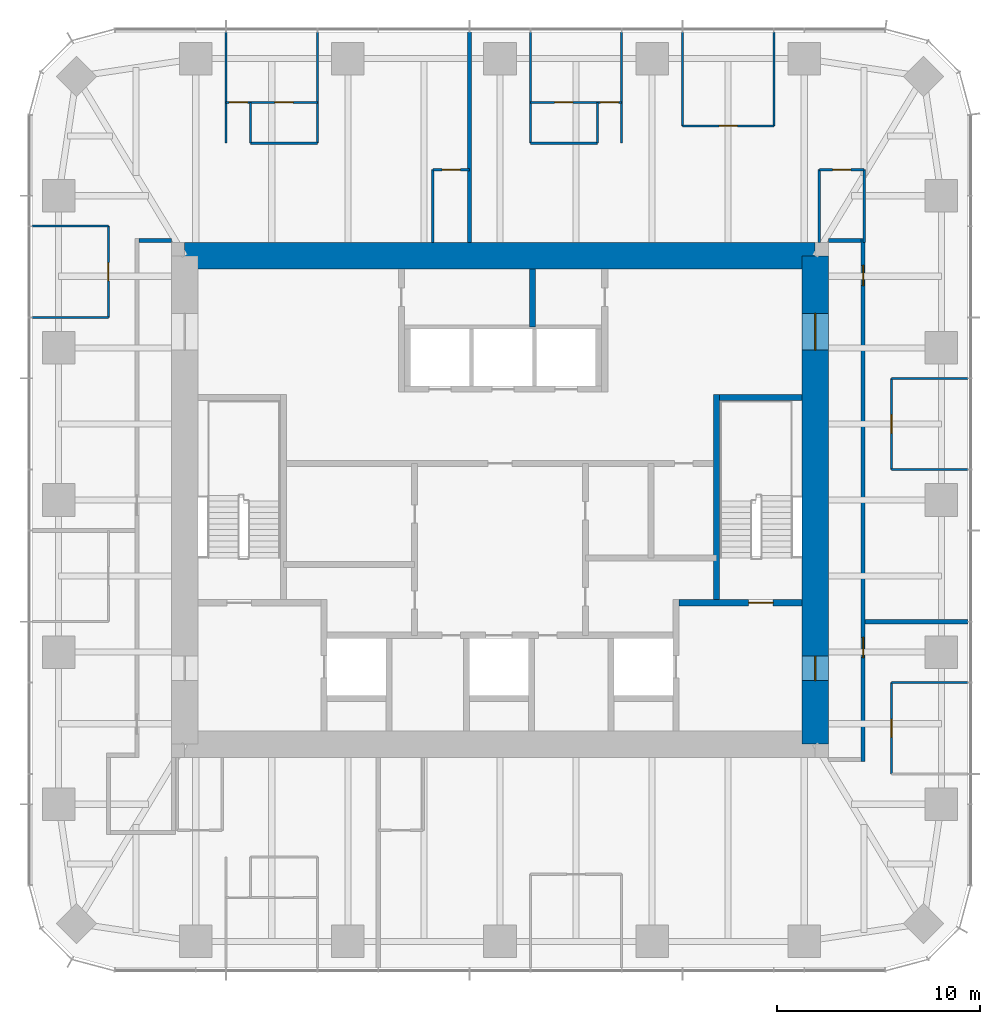
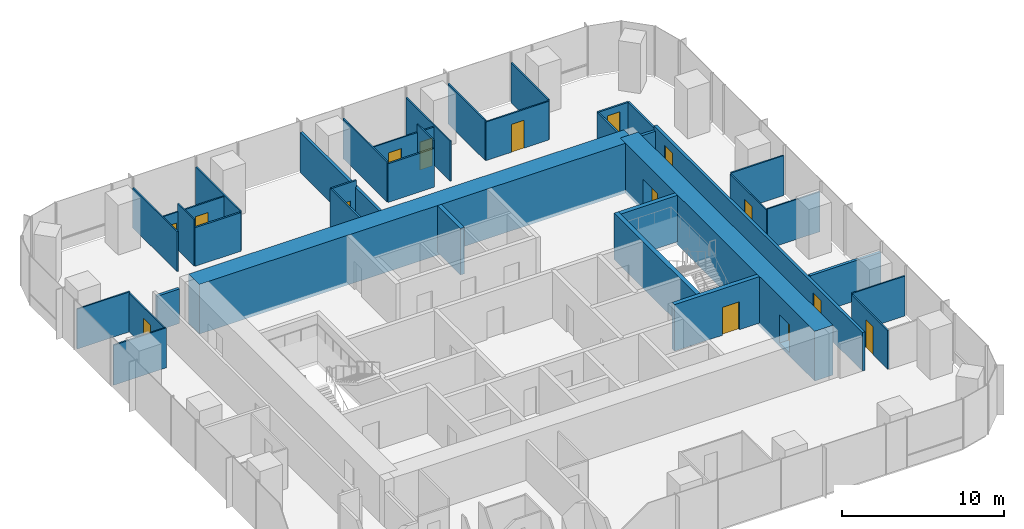
# One storey, part 10 of 12: 37 walls, 15 doors, 15 openings.
"""IFC4 building model written with IfcOpenShell, lengths in metres."""

import ifcopenshell
import ifcopenshell.guid

model = None  # the IFC model being written
_history = None  # IfcOwnerHistory: only IFC2X3 demands one
_inside = {}  # id of a spatial element -> (the spatial element, [elements in it])
_under = {}  # id of a project, library or spatial element -> (it, [spatial elements below it])
_declared = {}  # id of a project -> (the project, [libraries it declares])
_typed = {}  # id of a type object -> (the type object, [elements of that type])
_made_of = {}  # id of a material, layer set ... -> (it, [elements and type objects made of it])


def new_model(schema):
    """Start an empty IFC model of exactly this schema.

    Asked for "IFC4X3", IfcOpenShell would pick the latest addendum, in which some entities
    have other attributes; the version numbers below select the first issue.
    IFC2X3 requires an IfcOwnerHistory on every rooted entity: one is made here for all.
    """
    global model, _history
    if schema == "IFC4X3":
        model = ifcopenshell.file(schema_version=(4, 3, 0, 0))
    else:
        model = ifcopenshell.file(schema=schema)
    _inside.clear()
    _under.clear()
    _declared.clear()
    _typed.clear()
    _made_of.clear()
    _history = None
    if model.schema == "IFC2X3":
        org = make("IfcOrganization", Name="unknown")
        user = make(
            "IfcPersonAndOrganization",
            ThePerson=make("IfcPerson", FamilyName="unknown"),
            TheOrganization=org,
        )
        app = make(
            "IfcApplication",
            ApplicationDeveloper=org,
            Version="unknown",
            ApplicationFullName="unknown",
            ApplicationIdentifier="unknown",
        )
        _history = make(
            "IfcOwnerHistory",
            OwningUser=user,
            OwningApplication=app,
            ChangeAction="ADDED",
            CreationDate=0,
        )
    return model


def make(cls, **values):
    """One entity of the class cls with the attributes given. An attribute that is None is left unset."""
    return model.create_entity(
        cls, **{name: value for name, value in values.items() if value is not None}
    )


def rooted(cls, **values):
    """An entity with a GlobalId (a new one), such as an element, a storey or a relation."""
    return make(cls, GlobalId=ifcopenshell.guid.new(), OwnerHistory=_history, **values)


def si_unit(unit_type, name, prefix=None):
    """IfcSIUnit, for example si_unit("LENGTHUNIT", "METRE", prefix="MILLI")."""
    return make("IfcSIUnit", UnitType=unit_type, Prefix=prefix, Name=name)


def assignment(units):
    """IfcUnitAssignment: the units of a project."""
    return None if units is None else make("IfcUnitAssignment", Units=units)


def point(xyz):
    """IfcCartesianPoint."""
    return None if xyz is None else make("IfcCartesianPoint", Coordinates=xyz)


def direction(xyz):
    """IfcDirection."""
    return None if xyz is None else make("IfcDirection", DirectionRatios=xyz)


def frame(location, z_axis=None, x_axis=None):
    """IfcAxis2Placement3D, a coordinate frame: its origin and axes. An axis left out is left unset."""
    return make(
        "IfcAxis2Placement3D",
        Location=point(location),
        Axis=direction(z_axis),
        RefDirection=direction(x_axis),
    )


def frame_2d(location, x_axis=None):
    """IfcAxis2Placement2D, a coordinate frame in the plane: its origin and x axis."""
    return make(
        "IfcAxis2Placement2D", Location=point(location), RefDirection=direction(x_axis)
    )


def origin():
    """The frame at (0, 0, 0) with its axes left unset."""
    return frame((0.0, 0.0, 0.0))


def place(relative_to, where):
    """IfcLocalPlacement: puts the frame where relative to a parent placement (None: the world)."""
    return make(
        "IfcLocalPlacement", PlacementRelTo=relative_to, RelativePlacement=where
    )


def context(
    kind, dimensions, precision=None, world=None, true_north=None, identifier=None
):
    """IfcGeometricRepresentationContext, for example the 3D "Model" context."""
    return make(
        "IfcGeometricRepresentationContext",
        ContextIdentifier=identifier,
        ContextType=kind,
        CoordinateSpaceDimension=dimensions,
        Precision=precision,
        WorldCoordinateSystem=world,
        TrueNorth=true_north,
    )


def subcontext(parent, identifier, kind, view, scale=None):
    """IfcGeometricRepresentationSubContext, for example "Body" below "Model"."""
    return make(
        "IfcGeometricRepresentationSubContext",
        ContextIdentifier=identifier,
        ContextType=kind,
        ParentContext=parent,
        TargetScale=scale,
        TargetView=view,
    )


def project(units=None, contexts=None):
    """IfcProject with its units and contexts."""
    return rooted(
        "IfcProject",
        Name="project",
        RepresentationContexts=contexts,
        UnitsInContext=assignment(units),
    )


def spatial(cls, under=None, at=None, **own):
    """A site, building, storey or space (cls), placed at a placement, below another one or the project."""
    s = rooted(cls, ObjectPlacement=at, **own)
    if under is not None:
        _under.setdefault(under.id(), (under, []))[1].append(s)
    return s


def profile(cls, at=None, kind="AREA", **sizes):
    """A parametric profile (cls). Its sizes go by their IFC names, for example OverallWidth=200.0."""
    return make(cls, ProfileType=kind, Position=at, **sizes)


def rectangle(**sizes):
    """IfcRectangleProfileDef."""
    return profile("IfcRectangleProfileDef", **sizes)


def extrude(swept, where, along, depth):
    """IfcExtrudedAreaSolid: the profile swept, set in the frame where, extruded along a direction by depth."""
    return make(
        "IfcExtrudedAreaSolid",
        SweptArea=swept,
        Position=where,
        ExtrudedDirection=direction(along),
        Depth=depth,
    )


def shape(context_of_items, identifier, shape_type, items):
    """IfcShapeRepresentation: the items that make up one representation, for example the "Body"."""
    return make(
        "IfcShapeRepresentation",
        ContextOfItems=context_of_items,
        RepresentationIdentifier=identifier,
        RepresentationType=shape_type,
        Items=items,
    )


def material(Name=None, Category=None):
    """IfcMaterial."""
    return make("IfcMaterial", Name=Name, Category=Category)


def layer(
    of_material, thickness, ventilated=None, Name=None, Category=None, Priority=None
):
    """IfcMaterialLayer: one layer of a wall or slab, of a material (None: an air gap)."""
    return make(
        "IfcMaterialLayer",
        Material=of_material,
        LayerThickness=thickness,
        IsVentilated=ventilated,
        Name=Name,
        Category=Category,
        Priority=Priority,
    )


def layer_set(layers, Name=None):
    """IfcMaterialLayerSet."""
    return make("IfcMaterialLayerSet", MaterialLayers=layers, LayerSetName=Name)


def made_of(thing, what):
    """Note that an element or type object is made of a material, layer set ...; save() writes the relation."""
    if what is not None:
        _made_of.setdefault(what.id(), (what, []))[1].append(thing)
    return thing


def type_object(cls, material=None, **own):
    """A type object (cls), such as IfcWallType, which elements share."""
    return made_of(rooted(cls, **own), material)


def element(
    cls,
    number,
    at=None,
    inside=None,
    cuts=None,
    type_object=None,
    material=None,
    context=None,
    identifier="Body",
    shape_type=None,
    held_by="IfcProductDefinitionShape",
    body=None,
    shapes=None,
    **own,
):
    """One element of the class cls, such as IfcWall. Its Tag is "e" and its number.

    at: its placement. inside: the storey or other place that contains it. cuts: it is an
    opening in that element (IfcRelVoidsElement). A single representation is given by context,
    identifier, shape_type and body (its items); several are given by shapes. held_by: the class
    of the entity that holds the representations. save() writes the other relations.
    """
    e = rooted(cls, Tag="e%d" % number, ObjectPlacement=at, **own)
    if body is not None:
        shapes = [shape(context, identifier, shape_type, body)]
    if shapes is not None:
        e.Representation = make(held_by, Representations=shapes)
    if inside is not None:
        _inside.setdefault(inside.id(), (inside, []))[1].append(e)
    if cuts is not None:
        rooted(
            "IfcRelVoidsElement", RelatingBuildingElement=cuts, RelatedOpeningElement=e
        )
    if type_object is not None:
        _typed.setdefault(type_object.id(), (type_object, []))[1].append(e)
    return made_of(e, material)


def fill(opening, filler):
    """IfcRelFillsElement: the door or window that sits in an opening."""
    return rooted(
        "IfcRelFillsElement",
        RelatingOpeningElement=opening,
        RelatedBuildingElement=filler,
    )


def aggregate(whole, parts):
    """IfcRelAggregates: a whole, such as a stair, and the parts it consists of."""
    return rooted("IfcRelAggregates", RelatingObject=whole, RelatedObjects=parts)


def save(model, path):
    """Write the relations noted so far, then the file.

    IfcRelAggregates (storeys below a building ...), IfcRelContainedInSpatialStructure (elements
    in a storey), IfcRelDefinesByType, IfcRelAssociatesMaterial and IfcRelDeclares: one each for
    every whole, place, type object, material and project.
    """
    for whole, parts in _under.values():
        aggregate(whole, parts)
    for where, things in _inside.values():
        rooted(
            "IfcRelContainedInSpatialStructure",
            RelatedElements=things,
            RelatingStructure=where,
        )
    for kind, things in _typed.values():
        rooted("IfcRelDefinesByType", RelatedObjects=things, RelatingType=kind)
    for what, things in _made_of.values():
        rooted("IfcRelAssociatesMaterial", RelatedObjects=things, RelatingMaterial=what)
    for by, libraries in _declared.values():
        rooted("IfcRelDeclares", RelatingContext=by, RelatedDefinitions=libraries)
    model.write(path)


model = new_model("IFC4")

# Units and contexts
model_context = context("Model", 3, precision=1e-05, world=origin(), true_north=direction((0.0, 1.0)))
body_context = subcontext(model_context, "Body", "Model", "MODEL_VIEW")
ifc_project = project(units=[si_unit("LENGTHUNIT", "METRE"), si_unit("AREAUNIT", "SQUARE_METRE"), si_unit("VOLUMEUNIT", "CUBIC_METRE"), si_unit("PLANEANGLEUNIT", "RADIAN"), si_unit("MASSUNIT", "GRAM", prefix="KILO")], contexts=[model_context])

# Site, building, storey
site_placement = place(None, origin())
site = spatial("IfcSite", under=ifc_project, at=site_placement, CompositionType="ELEMENT")
building_placement = place(site_placement, origin())
building = spatial("IfcBuilding", under=site, at=building_placement, Name="Khuree Lantern Residences", CompositionType="ELEMENT")
storey_placement = place(building_placement, frame((0.0, 0.0, 338.25)))
storey = spatial("IfcBuildingStorey", under=building, at=storey_placement, Name="L85", CompositionType="ELEMENT", Elevation=338.25)

# Wall
ifc_material_1 = material(Name="Moisture-resistant gypsum board on steel studs", Category="steel")
ifc_layer_1 = layer(ifc_material_1, 0.125)
ifc_layer_set_1 = layer_set([ifc_layer_1], Name="BATHROOM WALL BTW125")
wall_type_1 = type_object("IfcWallType", Name="BATHROOM WALL BTW125", PredefinedType="PARTITIONING", material=ifc_layer_set_1)
wall_1_placement = place(storey_placement, frame((4.783935546875, 17.54638671875, 0.0), z_axis=(0.0, 0.0, 1.0), x_axis=(-1.0, 0.0, 0.0)))
element("IfcWall", 1, at=wall_1_placement, inside=storey, type_object=wall_type_1, Name="L85 BATHROOM WALL 01", PredefinedType="PARTITIONING", context=body_context, shape_type="SweptSolid", body=[
    extrude(rectangle(XDim=3.287841796875, YDim=0.125, at=frame_2d((1.64404296875, 0.0))), origin(), (0.0, 0.0, 1.0), 2.909912109375),
])

# Wall, opening, door
wall_2_placement = place(storey_placement, frame((17.89990234375, 16.246337890625, 0.0), z_axis=(0.0, 0.0, 1.0), x_axis=(-1.0, 0.0, 0.0)))
wall_2 = element("IfcWall", 2, at=wall_2_placement, inside=storey, type_object=wall_type_1, Name="L85 BATHROOM WALL 01", PredefinedType="PARTITIONING", context=body_context, shape_type="SweptSolid", body=[
    extrude(rectangle(XDim=2.199951171875, YDim=0.125, at=frame_2d((1.10009765625, 0.0))), origin(), (0.0, 0.0, 1.0), 2.60009765625),
])
opening_1_placement = place(wall_2_placement, frame((0.64990234375, 0.0, 0.0)))
opening_1 = element("IfcOpeningElement", 3, at=opening_1_placement, cuts=wall_2, Name="Opening 85-027", PredefinedType="OPENING", context=body_context, shape_type="SweptSolid", body=[
    extrude(rectangle(XDim=0.89990234375, YDim=2.10009765625, at=frame_2d((0.449951171875, 1.050048828125))), frame((0.0, 0.072509765625, 0.0), z_axis=(0.0, -1.0, 0.0), x_axis=(1.0, 0.0, 0.0)), (0.0, 0.0, 1.0), 0.14501953125),
])
ifc_material_2 = material(Name="Timber door leaf in hardwood frame", Category="wood")
door_type_1 = type_object("IfcDoorType", Name="BATHROOM DOOR 900X2100", OperationType="SINGLE_SWING_LEFT", PredefinedType="DOOR", material=ifc_material_2)
door_1_placement = place(opening_1_placement, origin())
door_1 = element("IfcDoor", 4, at=door_1_placement, inside=storey, type_object=door_type_1, Name="Bathroom door 85-027", OperationType="SINGLE_SWING_LEFT", OverallHeight=2.10009765625, OverallWidth=0.89990234375, PredefinedType="DOOR", context=body_context, shape_type="SweptSolid", body=[
    extrude(rectangle(XDim=0.89990234375, YDim=2.10009765625, at=frame_2d((0.449951171875, 1.050048828125))), frame((0.0, 0.02490234375, 0.0), z_axis=(0.0, -1.0, 0.0), x_axis=(1.0, 0.0, 0.0)), (0.0, 0.0, 1.0), 0.050048828125),
])
fill(opening_1, door_1)

# Walls
for number, where, z_axis, x_axis, name in (
    (5, (17.89990234375, 12.64990234375, 0.0), (0.0, 0.0, 1.0), (0.0, 1.0, 0.0), "L85 BATHROOM WALL 01"),
    (6, (15.699951171875, 12.64990234375, 0.0), (0.0, 0.0, 1.0), (0.0, 1.0, 0.0), "L85 BATHROOM WALL 01"),
):
    element("IfcWall", number, at=place(storey_placement, frame(where, z_axis=z_axis, x_axis=x_axis)), inside=storey, type_object=wall_type_1, Name=name, PredefinedType="PARTITIONING", context=body_context, shape_type="SweptSolid", body=[
        extrude(rectangle(XDim=3.596435546875, YDim=0.125, at=frame_2d((1.79833984375, 0.0))), origin(), (0.0, 0.0, 1.0), 2.60009765625),
    ])
wall_3_placement = place(storey_placement, frame((-8.97607421875, 17.54638671875, 0.0), z_axis=(0.0, 0.0, 1.0), x_axis=(-1.0, 0.0, 0.0)))
element("IfcWall", 7, at=wall_3_placement, inside=storey, type_object=wall_type_1, Name="L85 BATHROOM WALL 02", PredefinedType="PARTITIONING", context=body_context, shape_type="SweptSolid", body=[
    extrude(rectangle(XDim=3.287841796875, YDim=0.125, at=frame_2d((1.64404296875, 0.0))), origin(), (0.0, 0.0, 1.0), 2.909912109375),
])

# Wall, opening, door
wall_4_placement = place(storey_placement, frame((-1.49609375, 16.246337890625, 0.0), z_axis=(0.0, 0.0, 1.0), x_axis=(-1.0, 0.0, 0.0)))
wall_4 = element("IfcWall", 8, at=wall_4_placement, inside=storey, type_object=wall_type_1, Name="L85 BATHROOM WALL 02", PredefinedType="PARTITIONING", context=body_context, shape_type="SweptSolid", body=[
    extrude(rectangle(XDim=1.7998046875, YDim=0.125, at=frame_2d((0.89990234375, 0.0))), origin(), (0.0, 0.0, 1.0), 3.5),
])
opening_2_placement = place(wall_4_placement, frame((0.449951171875, 0.0, 0.0)))
opening_2 = element("IfcOpeningElement", 9, at=opening_2_placement, cuts=wall_4, Name="Opening 85-032", PredefinedType="OPENING", context=body_context, shape_type="SweptSolid", body=[
    extrude(rectangle(XDim=0.89990234375, YDim=2.10009765625, at=frame_2d((0.449951171875, 1.050048828125))), frame((0.0, 0.072509765625, 0.0), z_axis=(0.0, -1.0, 0.0), x_axis=(1.0, 0.0, 0.0)), (0.0, 0.0, 1.0), 0.14501953125),
])
door_2_placement = place(opening_2_placement, origin())
door_2 = element("IfcDoor", 10, at=door_2_placement, inside=storey, type_object=door_type_1, Name="Bathroom door 85-032", OperationType="SINGLE_SWING_LEFT", OverallHeight=2.10009765625, OverallWidth=0.89990234375, PredefinedType="DOOR", context=body_context, shape_type="SweptSolid", body=[
    extrude(rectangle(XDim=0.89990234375, YDim=2.10009765625, at=frame_2d((0.449951171875, 1.050048828125))), frame((0.0, 0.02490234375, 0.0), z_axis=(0.0, -1.0, 0.0), x_axis=(1.0, 0.0, 0.0)), (0.0, 0.0, 1.0), 0.050048828125),
])
fill(opening_2, door_2)

# Walls
wall_5_placement = place(storey_placement, frame((-3.2958984375, 12.64990234375, 0.0), z_axis=(0.0, 0.0, 1.0), x_axis=(0.0, 1.0, 0.0)))
element("IfcWall", 11, at=wall_5_placement, inside=storey, type_object=wall_type_1, Name="L85 BATHROOM WALL 02", PredefinedType="PARTITIONING", context=body_context, shape_type="SweptSolid", body=[
    extrude(rectangle(XDim=3.596435546875, YDim=0.125, at=frame_2d((1.79833984375, 0.0))), origin(), (0.0, 0.0, 1.0), 3.5),
])
ifc_material_3 = material(Name="Dense concrete blockwork", Category="masonry")
ifc_layer_2 = layer(ifc_material_3, 0.300048828125)
ifc_layer_set_2 = layer_set([ifc_layer_2], Name="CORE PARTITION WALL CPW300 EI 120")
wall_type_2 = type_object("IfcWallType", Name="CORE PARTITION WALL CPW300 EI 120", PredefinedType="PARTITIONING", material=ifc_layer_set_2)
wall_6_placement = place(storey_placement, frame((1.60009765625, 8.5, 0.0), z_axis=(0.0, 0.0, 1.0), x_axis=(0.0, 1.0, 0.0)))
element("IfcWall", 12, at=wall_6_placement, inside=storey, type_object=wall_type_2, Name="L85 CORE WALL NX", PredefinedType="PARTITIONING", context=body_context, shape_type="SweptSolid", body=[
    extrude(rectangle(XDim=2.85009765625, YDim=0.300048828125, at=frame_2d((1.425048828125, 0.0))), origin(), (0.0, 0.0, 1.0), 3.5),
])
ifc_material_4 = material(Name="Gypsum board on steel studs", Category="steel")
ifc_layer_3 = layer(ifc_material_4, 0.199951171875)
ifc_layer_set_3 = layer_set([ifc_layer_3], Name="CORRIDOR WALL CRW200 EI 60")
wall_type_3 = type_object("IfcWallType", Name="CORRIDOR WALL CRW200 EI 60", PredefinedType="PARTITIONING", material=ifc_layer_set_3)
for number, where, z_axis, x_axis, name in (
    (13, (16.14990234375, 12.75, 0.0), (0.0, 0.0, 1.0), (1.0, 0.0, 0.0), "L85 EAST CORRIDOR NORTH END WALL"),
    (14, (-16.14990234375, 12.75, 0.0), (0.0, 0.0, 1.0), (-1.0, 0.0, 0.0), "L85 WEST CORRIDOR NORTH END WALL"),
):
    element("IfcWall", number, at=place(storey_placement, frame(where, z_axis=z_axis, x_axis=x_axis)), inside=storey, type_object=wall_type_3, Name=name, PredefinedType="PARTITIONING", context=body_context, shape_type="SweptSolid", body=[
        extrude(rectangle(XDim=1.60009765625, YDim=0.199951171875, at=frame_2d((0.800048828125, 0.0))), origin(), (0.0, 0.0, 1.0), 2.60009765625),
    ])

# Wall, openings, doors
wall_7_placement = place(storey_placement, frame((17.85009765625, -12.85009765625, 0.0), z_axis=(0.0, 0.0, 1.0), x_axis=(0.0, 1.0, 0.0)))
wall_7 = element("IfcWall", 15, at=wall_7_placement, inside=storey, type_object=wall_type_3, Name="L85 CORRIDOR WALL EAST 1", PredefinedType="PARTITIONING", context=body_context, shape_type="SweptSolid", body=[
    extrude(rectangle(XDim=25.7001953125, YDim=0.199951171875, at=frame_2d((12.85009765625, 0.0))), origin(), (0.0, 0.0, 1.0), 2.89990234375),
])
opening_3_placement = place(wall_7_placement, frame((23.385986328125, 0.0, 0.0)))
opening_3 = element("IfcOpeningElement", 16, at=opening_3_placement, cuts=wall_7, Name="Opening 85-028", PredefinedType="OPENING", context=body_context, shape_type="SweptSolid", body=[
    extrude(rectangle(XDim=1.0, YDim=2.199951171875, at=frame_2d((0.5, 1.10009765625))), frame((0.0, 0.10986328125, 0.0), z_axis=(0.0, -1.0, 0.0), x_axis=(1.0, 0.0, 0.0)), (0.0, 0.0, 1.0), 0.219970703125),
])
opening_4_placement = place(wall_7_placement, frame((5.10009765625, 0.0, 0.0)))
opening_4 = element("IfcOpeningElement", 17, at=opening_4_placement, cuts=wall_7, Name="Opening 85-042", PredefinedType="OPENING", context=body_context, shape_type="SweptSolid", body=[
    extrude(rectangle(XDim=1.0, YDim=2.199951171875, at=frame_2d((0.5, 1.10009765625))), frame((0.0, 0.10986328125, 0.0), z_axis=(0.0, -1.0, 0.0), x_axis=(1.0, 0.0, 0.0)), (0.0, 0.0, 1.0), 0.219970703125),
])
door_type_2 = type_object("IfcDoorType", Name="APARTMENT ENTRANCE DOOR 1000X2200 EI 30S", OperationType="SINGLE_SWING_LEFT", PredefinedType="DOOR", material=ifc_material_2)
door_3_placement = place(opening_4_placement, origin())
door_3 = element("IfcDoor", 18, at=door_3_placement, inside=storey, type_object=door_type_2, Name="Apartment 04 entrance door 85-042", OperationType="SINGLE_SWING_LEFT", OverallHeight=2.199951171875, OverallWidth=1.0, PredefinedType="DOOR", context=body_context, shape_type="SweptSolid", body=[
    extrude(rectangle(XDim=1.0, YDim=2.199951171875, at=frame_2d((0.5, 1.10009765625))), frame((0.0, 0.02490234375, 0.0), z_axis=(0.0, -1.0, 0.0), x_axis=(1.0, 0.0, 0.0)), (0.0, 0.0, 1.0), 0.050048828125),
])
fill(opening_4, door_3)
door_type_3 = type_object("IfcDoorType", Name="APARTMENT ENTRANCE DOOR 1000X2200 EI 30S RIGHT HAND", OperationType="SINGLE_SWING_RIGHT", PredefinedType="DOOR", material=ifc_material_2)
door_4_placement = place(opening_3_placement, origin())
door_4 = element("IfcDoor", 19, at=door_4_placement, inside=storey, type_object=door_type_3, Name="Apartment 01 entrance door 85-028", OperationType="SINGLE_SWING_RIGHT", OverallHeight=2.199951171875, OverallWidth=1.0, PredefinedType="DOOR", context=body_context, shape_type="SweptSolid", body=[
    extrude(rectangle(XDim=1.0, YDim=2.199951171875, at=frame_2d((0.5, 1.10009765625))), frame((0.0, 0.02490234375, 0.0), z_axis=(0.0, -1.0, 0.0), x_axis=(1.0, 0.0, 0.0)), (0.0, 0.0, 1.0), 0.050048828125),
])
fill(opening_3, door_4)

ifc_material_5 = material(Name="Concrete C50/60", Category="concrete")
ifc_layer_4 = layer(ifc_material_5, 1.300048828125)
ifc_layer_set_4 = layer_set([ifc_layer_4], Name="CW1300-C50 CORE WALL C50 1300")
wall_type_4 = type_object("IfcWallType", Name="CW1300-C50 CORE WALL C50 1300", PredefinedType="SHEAR", material=ifc_layer_set_4)
wall_8_placement = place(storey_placement, frame((15.5, -12.0, -0.25), z_axis=(0.0, 0.0, 1.0), x_axis=(0.0, 1.0, 0.0)))
wall_8 = element("IfcWall", 20, at=wall_8_placement, inside=storey, type_object=wall_type_4, Name="Core wall E", PredefinedType="SHEAR", context=body_context, shape_type="SweptSolid", body=[
    extrude(rectangle(XDim=24.0, YDim=1.300048828125, at=frame_2d((12.0, 0.0))), origin(), (0.0, 0.0, 1.0), 3.75),
])
opening_5_placement = place(wall_8_placement, frame((3.125, 0.0, 0.25)))
opening_5 = element("IfcOpeningElement", 21, at=opening_5_placement, cuts=wall_8, Name="Opening 85-005", PredefinedType="OPENING", context=body_context, shape_type="SweptSolid", body=[
    extrude(rectangle(XDim=1.199951171875, YDim=2.10009765625, at=frame_2d((0.60009765625, 1.050048828125))), frame((0.0, 0.66015625, 0.0), z_axis=(0.0, -1.0, 0.0), x_axis=(1.0, 0.0, 0.0)), (0.0, 0.0, 1.0), 1.320068359375),
])
opening_6_placement = place(wall_8_placement, frame((19.375, 0.0, 0.25)))
opening_6 = element("IfcOpeningElement", 22, at=opening_6_placement, cuts=wall_8, Name="Opening 85-006", PredefinedType="OPENING", context=body_context, shape_type="SweptSolid", body=[
    extrude(rectangle(XDim=1.800048828125, YDim=2.10009765625, at=frame_2d((0.89990234375, 1.050048828125))), frame((0.0, 0.66015625, 0.0), z_axis=(0.0, -1.0, 0.0), x_axis=(1.0, 0.0, 0.0)), (0.0, 0.0, 1.0), 1.320068359375),
])
ifc_material_6 = material(Name="Steel door leaf in steel frame", Category="steel")
door_type_4 = type_object("IfcDoorType", Name="LOBBY DOOR 1200X2100 EI 120", OperationType="SINGLE_SWING_LEFT", PredefinedType="DOOR", material=ifc_material_6)
door_5_placement = place(opening_5_placement, origin())
door_5 = element("IfcDoor", 23, at=door_5_placement, inside=storey, type_object=door_type_4, Name="Firefighting lobby door 85-005", OperationType="SINGLE_SWING_LEFT", OverallHeight=2.10009765625, OverallWidth=1.199951171875, PredefinedType="DOOR", context=body_context, shape_type="SweptSolid", body=[
    extrude(rectangle(XDim=1.199951171875, YDim=2.10009765625, at=frame_2d((0.60009765625, 1.050048828125))), frame((0.0, 0.02490234375, 0.0), z_axis=(0.0, -1.0, 0.0), x_axis=(1.0, 0.0, 0.0)), (0.0, 0.0, 1.0), 0.050048828125),
])
fill(opening_5, door_5)
door_type_5 = type_object("IfcDoorType", Name="LOBBY DOUBLE DOOR 1800X2100 EI 60", OperationType="DOUBLE_DOOR_SINGLE_SWING", PredefinedType="DOOR", material=ifc_material_6)
door_6_placement = place(opening_6_placement, origin())
door_6 = element("IfcDoor", 24, at=door_6_placement, inside=storey, type_object=door_type_5, Name="Lift lobby door 85-006", OperationType="DOUBLE_DOOR_SINGLE_SWING", OverallHeight=2.10009765625, OverallWidth=1.800048828125, PredefinedType="DOOR", context=body_context, shape_type="SweptSolid", body=[
    extrude(rectangle(XDim=1.800048828125, YDim=2.10009765625, at=frame_2d((0.89990234375, 1.050048828125))), frame((0.0, 0.02490234375, 0.0), z_axis=(0.0, -1.0, 0.0), x_axis=(1.0, 0.0, 0.0)), (0.0, 0.0, 1.0), 0.050048828125),
])
fill(opening_6, door_6)

# Walls
wall_9_placement = place(storey_placement, frame((-15.5, 12.0, -0.25), z_axis=(0.0, 0.0, 1.0), x_axis=(1.0, 0.0, 0.0)))
element("IfcWall", 25, at=wall_9_placement, inside=storey, type_object=wall_type_4, Name="Core wall N", PredefinedType="SHEAR", context=body_context, shape_type="SweptSolid", body=[
    extrude(rectangle(XDim=31.0, YDim=1.300048828125, at=frame_2d((15.5, 0.0))), origin(), (0.0, 0.0, 1.0), 3.75),
])
ifc_layer_5 = layer(ifc_material_4, 0.199951171875)
ifc_layer_set_5 = layer_set([ifc_layer_5], Name="DEMISING WALL DMW200 EI 90")
wall_type_5 = type_object("IfcWallType", Name="DEMISING WALL DMW200 EI 90", PredefinedType="PARTITIONING", material=ifc_layer_set_5)
wall_10_placement = place(storey_placement, frame((17.949951171875, -5.98388671875, 0.0), z_axis=(0.0, 0.0, 1.0), x_axis=(1.0, 0.0, 0.0)))
element("IfcWall", 26, at=wall_10_placement, inside=storey, type_object=wall_type_5, Name="L85 DEMISING WALL 01", PredefinedType="PARTITIONING", context=body_context, shape_type="SweptSolid", body=[
    extrude(rectangle(XDim=5.050048828125, YDim=0.199951171875, at=frame_2d((2.52490234375, 0.0))), origin(), (0.0, 0.0, 1.0), 3.010009765625),
])
wall_11_placement = place(storey_placement, frame((-1.49609375, 12.64990234375, 0.0), z_axis=(0.0, 0.0, 1.0), x_axis=(0.0, 1.0, 0.0)))
element("IfcWall", 27, at=wall_11_placement, inside=storey, type_object=wall_type_5, Name="L85 DEMISING WALL 02", PredefinedType="PARTITIONING", context=body_context, shape_type="SweptSolid", body=[
    extrude(rectangle(XDim=10.35009765625, YDim=0.199951171875, at=frame_2d((5.175048828125, 0.0))), origin(), (0.0, 0.0, 1.0), 3.010009765625),
])
ifc_layer_6 = layer(ifc_material_4, 0.10009765625)
ifc_layer_set_6 = layer_set([ifc_layer_6], Name="PARTITION PT100")
wall_type_6 = type_object("IfcWallType", Name="PARTITION PT100", PredefinedType="PARTITIONING", material=ifc_layer_set_6)
for number, where, z_axis, x_axis, name in (
    (28, (19.25, 1.49609375, 0.0), (0.0, 0.0, 1.0), (1.0, 0.0, 0.0), "L85 PARTITION 01"),
    (29, (19.25, 5.98388671875, 0.0), (0.0, 0.0, 1.0), (1.0, 0.0, 0.0), "L85 PARTITION 01"),
):
    element("IfcWall", number, at=place(storey_placement, frame(where, z_axis=z_axis, x_axis=x_axis)), inside=storey, type_object=wall_type_6, Name=name, PredefinedType="PARTITIONING", context=body_context, shape_type="SweptSolid", body=[
        extrude(rectangle(XDim=3.75, YDim=0.10009765625, at=frame_2d((1.875, 0.0))), origin(), (0.0, 0.0, 1.0), 3.010009765625),
    ])
for number, where, z_axis, x_axis, name in (
    (30, (13.464111328125, 18.39990234375, 0.0), (0.0, 0.0, 1.0), (0.0, 1.0, 0.0), "L85 PARTITION 01"),
    (31, (8.97607421875, 18.39990234375, 0.0), (0.0, 0.0, 1.0), (0.0, 1.0, 0.0), "L85 PARTITION 01"),
):
    element("IfcWall", number, at=place(storey_placement, frame(where, z_axis=z_axis, x_axis=x_axis)), inside=storey, type_object=wall_type_6, Name=name, PredefinedType="PARTITIONING", context=body_context, shape_type="SweptSolid", body=[
        extrude(rectangle(XDim=4.60009765625, YDim=0.10009765625, at=frame_2d((2.300048828125, 0.0))), origin(), (0.0, 0.0, 1.0), 3.010009765625),
    ])
for number, where, z_axis, x_axis, name in (
    (32, (5.98388671875, 17.54638671875, 0.0), (0.0, 0.0, 1.0), (0.0, 1.0, 0.0), "L85 PARTITION 01"),
    (33, (1.49609375, 17.54638671875, 0.0), (0.0, 0.0, 1.0), (0.0, 1.0, 0.0), "L85 PARTITION 01"),
    (34, (-8.97607421875, 17.54638671875, 0.0), (0.0, 0.0, 1.0), (0.0, 1.0, 0.0), "L85 PARTITION 02"),
    (35, (-13.464111328125, 17.54638671875, 0.0), (0.0, 0.0, 1.0), (0.0, 1.0, 0.0), "L85 PARTITION 02"),
):
    element("IfcWall", number, at=place(storey_placement, frame(where, z_axis=z_axis, x_axis=x_axis)), inside=storey, type_object=wall_type_6, Name=name, PredefinedType="PARTITIONING", context=body_context, shape_type="SweptSolid", body=[
        extrude(rectangle(XDim=5.45361328125, YDim=0.10009765625, at=frame_2d((2.726806640625, 0.0))), origin(), (0.0, 0.0, 1.0), 3.010009765625),
    ])
for number, where, z_axis, x_axis, name in (
    (36, (-19.25, 13.464111328125, 0.0), (0.0, 0.0, 1.0), (-1.0, 0.0, 0.0), "L85 PARTITION 02"),
    (37, (-19.25, 8.97607421875, 0.0), (0.0, 0.0, 1.0), (-1.0, 0.0, 0.0), "L85 PARTITION 02"),
    (38, (19.25, -8.97607421875, 0.0), (0.0, 0.0, 1.0), (1.0, 0.0, 0.0), "L85 PARTITION 04"),
):
    element("IfcWall", number, at=place(storey_placement, frame(where, z_axis=z_axis, x_axis=x_axis)), inside=storey, type_object=wall_type_6, Name=name, PredefinedType="PARTITIONING", context=body_context, shape_type="SweptSolid", body=[
        extrude(rectangle(XDim=3.75, YDim=0.10009765625, at=frame_2d((1.875, 0.0))), origin(), (0.0, 0.0, 1.0), 3.010009765625),
    ])

# Wall, opening, door
wall_12_placement = place(storey_placement, frame((19.25, 1.49609375, 0.0), z_axis=(0.0, 0.0, 1.0), x_axis=(0.0, 1.0, 0.0)))
wall_12 = element("IfcWall", 39, at=wall_12_placement, inside=storey, type_object=wall_type_6, Name="L85 PARTITION 01", PredefinedType="PARTITIONING", context=body_context, shape_type="SweptSolid", body=[
    extrude(rectangle(XDim=4.48779296875, YDim=0.10009765625, at=frame_2d((2.243896484375, 0.0))), origin(), (0.0, 0.0, 1.0), 2.909912109375),
])
opening_7_placement = place(wall_12_placement, frame((1.7939453125, 0.0, 0.0)))
opening_7 = element("IfcOpeningElement", 40, at=opening_7_placement, cuts=wall_12, Name="Opening 85-023", PredefinedType="OPENING", context=body_context, shape_type="SweptSolid", body=[
    extrude(rectangle(XDim=0.89990234375, YDim=2.10009765625, at=frame_2d((0.449951171875, 1.050048828125))), frame((0.0, 0.06005859375, 0.0), z_axis=(0.0, -1.0, 0.0), x_axis=(1.0, 0.0, 0.0)), (0.0, 0.0, 1.0), 0.1201171875),
])
door_type_6 = type_object("IfcDoorType", Name="BEDROOM DOOR 900X2100", OperationType="SINGLE_SWING_LEFT", PredefinedType="DOOR", material=ifc_material_2)
door_7_placement = place(opening_7_placement, origin())
door_7 = element("IfcDoor", 41, at=door_7_placement, inside=storey, type_object=door_type_6, Name="Bedroom door 85-023", OperationType="SINGLE_SWING_LEFT", OverallHeight=2.10009765625, OverallWidth=0.89990234375, PredefinedType="DOOR", context=body_context, shape_type="SweptSolid", body=[
    extrude(rectangle(XDim=0.89990234375, YDim=2.10009765625, at=frame_2d((0.449951171875, 1.050048828125))), frame((0.0, 0.02490234375, 0.0), z_axis=(0.0, -1.0, 0.0), x_axis=(1.0, 0.0, 0.0)), (0.0, 0.0, 1.0), 0.050048828125),
])
fill(opening_7, door_7)

wall_13_placement = place(storey_placement, frame((13.464111328125, 18.39990234375, 0.0), z_axis=(0.0, 0.0, 1.0), x_axis=(-1.0, 0.0, 0.0)))
wall_13 = element("IfcWall", 42, at=wall_13_placement, inside=storey, type_object=wall_type_6, Name="L85 PARTITION 01", PredefinedType="PARTITIONING", context=body_context, shape_type="SweptSolid", body=[
    extrude(rectangle(XDim=4.488037109375, YDim=0.10009765625, at=frame_2d((2.244140625, 0.0))), origin(), (0.0, 0.0, 1.0), 2.909912109375),
])
opening_8_placement = place(wall_13_placement, frame((1.7939453125, 0.0, 0.0)))
opening_8 = element("IfcOpeningElement", 43, at=opening_8_placement, cuts=wall_13, Name="Opening 85-024", PredefinedType="OPENING", context=body_context, shape_type="SweptSolid", body=[
    extrude(rectangle(XDim=0.89990234375, YDim=2.10009765625, at=frame_2d((0.449951171875, 1.050048828125))), frame((0.0, 0.06005859375, 0.0), z_axis=(0.0, -1.0, 0.0), x_axis=(1.0, 0.0, 0.0)), (0.0, 0.0, 1.0), 0.1201171875),
])
door_8_placement = place(opening_8_placement, origin())
door_8 = element("IfcDoor", 44, at=door_8_placement, inside=storey, type_object=door_type_6, Name="Bedroom door 85-024", OperationType="SINGLE_SWING_LEFT", OverallHeight=2.10009765625, OverallWidth=0.89990234375, PredefinedType="DOOR", context=body_context, shape_type="SweptSolid", body=[
    extrude(rectangle(XDim=0.89990234375, YDim=2.10009765625, at=frame_2d((0.449951171875, 1.050048828125))), frame((0.0, 0.02490234375, 0.0), z_axis=(0.0, -1.0, 0.0), x_axis=(1.0, 0.0, 0.0)), (0.0, 0.0, 1.0), 0.050048828125),
])
fill(opening_8, door_8)

# Wall, openings, doors
wall_14_placement = place(storey_placement, frame((5.98388671875, 19.54638671875, 0.0), z_axis=(0.0, 0.0, 1.0), x_axis=(-1.0, 0.0, 0.0)))
wall_14 = element("IfcWall", 45, at=wall_14_placement, inside=storey, type_object=wall_type_6, Name="L85 PARTITION 01", PredefinedType="PARTITIONING", context=body_context, shape_type="SweptSolid", body=[
    extrude(rectangle(XDim=4.48779296875, YDim=0.10009765625, at=frame_2d((2.243896484375, 0.0))), origin(), (0.0, 0.0, 1.0), 2.909912109375),
])
opening_9_placement = place(wall_14_placement, frame((0.14990234375, 0.0, 0.0)))
opening_9 = element("IfcOpeningElement", 46, at=opening_9_placement, cuts=wall_14, Name="Opening 85-025", PredefinedType="OPENING", context=body_context, shape_type="SweptSolid", body=[
    extrude(rectangle(XDim=0.89990234375, YDim=2.10009765625, at=frame_2d((0.449951171875, 1.050048828125))), frame((0.0, 0.06005859375, 0.0), z_axis=(0.0, -1.0, 0.0), x_axis=(1.0, 0.0, 0.0)), (0.0, 0.0, 1.0), 0.1201171875),
])
opening_10_placement = place(wall_14_placement, frame((2.39404296875, 0.0, 0.0)))
opening_10 = element("IfcOpeningElement", 47, at=opening_10_placement, cuts=wall_14, Name="Opening 85-026", PredefinedType="OPENING", context=body_context, shape_type="SweptSolid", body=[
    extrude(rectangle(XDim=0.89990234375, YDim=2.10009765625, at=frame_2d((0.449951171875, 1.050048828125))), frame((0.0, 0.06005859375, 0.0), z_axis=(0.0, -1.0, 0.0), x_axis=(1.0, 0.0, 0.0)), (0.0, 0.0, 1.0), 0.1201171875),
])
door_9_placement = place(opening_10_placement, origin())
door_9 = element("IfcDoor", 48, at=door_9_placement, inside=storey, type_object=door_type_1, Name="Bathroom door 85-026", OperationType="SINGLE_SWING_LEFT", OverallHeight=2.10009765625, OverallWidth=0.89990234375, PredefinedType="DOOR", context=body_context, shape_type="SweptSolid", body=[
    extrude(rectangle(XDim=0.89990234375, YDim=2.10009765625, at=frame_2d((0.449951171875, 1.050048828125))), frame((0.0, 0.02490234375, 0.0), z_axis=(0.0, -1.0, 0.0), x_axis=(1.0, 0.0, 0.0)), (0.0, 0.0, 1.0), 0.050048828125),
])
fill(opening_10, door_9)
door_10_placement = place(opening_9_placement, origin())
door_10 = element("IfcDoor", 49, at=door_10_placement, inside=storey, type_object=door_type_6, Name="Bedroom door 85-025", OperationType="SINGLE_SWING_LEFT", OverallHeight=2.10009765625, OverallWidth=0.89990234375, PredefinedType="DOOR", context=body_context, shape_type="SweptSolid", body=[
    extrude(rectangle(XDim=0.89990234375, YDim=2.10009765625, at=frame_2d((0.449951171875, 1.050048828125))), frame((0.0, 0.02490234375, 0.0), z_axis=(0.0, -1.0, 0.0), x_axis=(1.0, 0.0, 0.0)), (0.0, 0.0, 1.0), 0.050048828125),
])
fill(opening_9, door_10)

# Wall
wall_15_placement = place(storey_placement, frame((4.783935546875, 17.54638671875, 0.0), z_axis=(0.0, 0.0, 1.0), x_axis=(0.0, 1.0, 0.0)))
element("IfcWall", 50, at=wall_15_placement, inside=storey, type_object=wall_type_6, Name="L85 PARTITION 01", PredefinedType="PARTITIONING", context=body_context, shape_type="SweptSolid", body=[
    extrude(rectangle(XDim=2.0, YDim=0.10009765625, at=frame_2d((1.0, 0.0))), origin(), (0.0, 0.0, 1.0), 3.5),
])

# Wall, openings, doors
wall_16_placement = place(storey_placement, frame((-8.97607421875, 19.54638671875, 0.0), z_axis=(0.0, 0.0, 1.0), x_axis=(-1.0, 0.0, 0.0)))
wall_16 = element("IfcWall", 51, at=wall_16_placement, inside=storey, type_object=wall_type_6, Name="L85 PARTITION 02", PredefinedType="PARTITIONING", context=body_context, shape_type="SweptSolid", body=[
    extrude(rectangle(XDim=4.488037109375, YDim=0.10009765625, at=frame_2d((2.244140625, 0.0))), origin(), (0.0, 0.0, 1.0), 2.909912109375),
])
opening_11_placement = place(wall_16_placement, frame((3.43798828125, 0.0, 0.0)))
opening_11 = element("IfcOpeningElement", 52, at=opening_11_placement, cuts=wall_16, Name="Opening 85-029", PredefinedType="OPENING", context=body_context, shape_type="SweptSolid", body=[
    extrude(rectangle(XDim=0.89990234375, YDim=2.10009765625, at=frame_2d((0.449951171875, 1.050048828125))), frame((0.0, 0.06005859375, 0.0), z_axis=(0.0, -1.0, 0.0), x_axis=(1.0, 0.0, 0.0)), (0.0, 0.0, 1.0), 0.1201171875),
])
opening_12_placement = place(wall_16_placement, frame((1.194091796875, 0.0, 0.0)))
opening_12 = element("IfcOpeningElement", 53, at=opening_12_placement, cuts=wall_16, Name="Opening 85-030", PredefinedType="OPENING", context=body_context, shape_type="SweptSolid", body=[
    extrude(rectangle(XDim=0.89990234375, YDim=2.10009765625, at=frame_2d((0.449951171875, 1.050048828125))), frame((0.0, 0.06005859375, 0.0), z_axis=(0.0, -1.0, 0.0), x_axis=(1.0, 0.0, 0.0)), (0.0, 0.0, 1.0), 0.1201171875),
])
door_11_placement = place(opening_12_placement, origin())
door_11 = element("IfcDoor", 54, at=door_11_placement, inside=storey, type_object=door_type_1, Name="Bathroom door 85-030", OperationType="SINGLE_SWING_LEFT", OverallHeight=2.10009765625, OverallWidth=0.89990234375, PredefinedType="DOOR", context=body_context, shape_type="SweptSolid", body=[
    extrude(rectangle(XDim=0.89990234375, YDim=2.10009765625, at=frame_2d((0.449951171875, 1.050048828125))), frame((0.0, 0.02490234375, 0.0), z_axis=(0.0, -1.0, 0.0), x_axis=(1.0, 0.0, 0.0)), (0.0, 0.0, 1.0), 0.050048828125),
])
fill(opening_12, door_11)
door_12_placement = place(opening_11_placement, origin())
door_12 = element("IfcDoor", 55, at=door_12_placement, inside=storey, type_object=door_type_6, Name="Bedroom door 85-029", OperationType="SINGLE_SWING_LEFT", OverallHeight=2.10009765625, OverallWidth=0.89990234375, PredefinedType="DOOR", context=body_context, shape_type="SweptSolid", body=[
    extrude(rectangle(XDim=0.89990234375, YDim=2.10009765625, at=frame_2d((0.449951171875, 1.050048828125))), frame((0.0, 0.02490234375, 0.0), z_axis=(0.0, -1.0, 0.0), x_axis=(1.0, 0.0, 0.0)), (0.0, 0.0, 1.0), 0.050048828125),
])
fill(opening_11, door_12)

# Wall
wall_17_placement = place(storey_placement, frame((-12.263916015625, 17.54638671875, 0.0), z_axis=(0.0, 0.0, 1.0), x_axis=(0.0, 1.0, 0.0)))
element("IfcWall", 56, at=wall_17_placement, inside=storey, type_object=wall_type_6, Name="L85 PARTITION 02", PredefinedType="PARTITIONING", context=body_context, shape_type="SweptSolid", body=[
    extrude(rectangle(XDim=2.0, YDim=0.10009765625, at=frame_2d((1.0, 0.0))), origin(), (0.0, 0.0, 1.0), 3.5),
])

# Wall, opening, door
wall_18_placement = place(storey_placement, frame((-19.25, 13.464111328125, 0.0), z_axis=(0.0, 0.0, 1.0), x_axis=(0.0, -1.0, 0.0)))
wall_18 = element("IfcWall", 57, at=wall_18_placement, inside=storey, type_object=wall_type_6, Name="L85 PARTITION 02", PredefinedType="PARTITIONING", context=body_context, shape_type="SweptSolid", body=[
    extrude(rectangle(XDim=4.488037109375, YDim=0.10009765625, at=frame_2d((2.244140625, 0.0))), origin(), (0.0, 0.0, 1.0), 2.909912109375),
])
opening_13_placement = place(wall_18_placement, frame((1.7939453125, 0.0, 0.0)))
opening_13 = element("IfcOpeningElement", 58, at=opening_13_placement, cuts=wall_18, Name="Opening 85-031", PredefinedType="OPENING", context=body_context, shape_type="SweptSolid", body=[
    extrude(rectangle(XDim=0.89990234375, YDim=2.10009765625, at=frame_2d((0.449951171875, 1.050048828125))), frame((0.0, 0.06005859375, 0.0), z_axis=(0.0, -1.0, 0.0), x_axis=(1.0, 0.0, 0.0)), (0.0, 0.0, 1.0), 0.1201171875),
])
door_13_placement = place(opening_13_placement, origin())
door_13 = element("IfcDoor", 59, at=door_13_placement, inside=storey, type_object=door_type_6, Name="Bedroom door 85-031", OperationType="SINGLE_SWING_LEFT", OverallHeight=2.10009765625, OverallWidth=0.89990234375, PredefinedType="DOOR", context=body_context, shape_type="SweptSolid", body=[
    extrude(rectangle(XDim=0.89990234375, YDim=2.10009765625, at=frame_2d((0.449951171875, 1.050048828125))), frame((0.0, 0.02490234375, 0.0), z_axis=(0.0, -1.0, 0.0), x_axis=(1.0, 0.0, 0.0)), (0.0, 0.0, 1.0), 0.050048828125),
])
fill(opening_13, door_13)

wall_19_placement = place(storey_placement, frame((19.25, -13.464111328125, 0.0), z_axis=(0.0, 0.0, 1.0), x_axis=(0.0, 1.0, 0.0)))
wall_19 = element("IfcWall", 60, at=wall_19_placement, inside=storey, type_object=wall_type_6, Name="L85 PARTITION 04", PredefinedType="PARTITIONING", context=body_context, shape_type="SweptSolid", body=[
    extrude(rectangle(XDim=4.488037109375, YDim=0.10009765625, at=frame_2d((2.244140625, 0.0))), origin(), (0.0, 0.0, 1.0), 2.909912109375),
])
opening_14_placement = place(wall_19_placement, frame((1.7939453125, 0.0, 0.0)))
opening_14 = element("IfcOpeningElement", 61, at=opening_14_placement, cuts=wall_19, Name="Opening 85-040", PredefinedType="OPENING", context=body_context, shape_type="SweptSolid", body=[
    extrude(rectangle(XDim=0.89990234375, YDim=2.10009765625, at=frame_2d((0.449951171875, 1.050048828125))), frame((0.0, 0.06005859375, 0.0), z_axis=(0.0, -1.0, 0.0), x_axis=(1.0, 0.0, 0.0)), (0.0, 0.0, 1.0), 0.1201171875),
])
door_14_placement = place(opening_14_placement, origin())
door_14 = element("IfcDoor", 62, at=door_14_placement, inside=storey, type_object=door_type_6, Name="Bedroom door 85-040", OperationType="SINGLE_SWING_LEFT", OverallHeight=2.10009765625, OverallWidth=0.89990234375, PredefinedType="DOOR", context=body_context, shape_type="SweptSolid", body=[
    extrude(rectangle(XDim=0.89990234375, YDim=2.10009765625, at=frame_2d((0.449951171875, 1.050048828125))), frame((0.0, 0.02490234375, 0.0), z_axis=(0.0, -1.0, 0.0), x_axis=(1.0, 0.0, 0.0)), (0.0, 0.0, 1.0), 0.050048828125),
])
fill(opening_14, door_14)

# Wall
ifc_layer_7 = layer(ifc_material_5, 0.300048828125)
ifc_layer_set_7 = layer_set([ifc_layer_7], Name="STAIR WALL SRW300 C50/60 REI 240")
wall_type_7 = type_object("IfcWallType", Name="STAIR WALL SRW300 C50/60 REI 240", PredefinedType="SOLIDWALL", material=ifc_layer_set_7)
wall_20_placement = place(storey_placement, frame((10.64990234375, -4.89990234375, 0.0), z_axis=(0.0, 0.0, 1.0), x_axis=(0.0, 1.0, 0.0)))
element("IfcWall", 63, at=wall_20_placement, inside=storey, type_object=wall_type_7, Name="L85 STAIR WALL ST2E", PredefinedType="SOLIDWALL", context=body_context, shape_type="SweptSolid", body=[
    extrude(rectangle(XDim=10.099853515625, YDim=0.300048828125, at=frame_2d((5.0498046875, 0.0))), origin(), (0.0, 0.0, 1.0), 3.5),
])

# Wall, opening, door
wall_21_placement = place(storey_placement, frame((14.85009765625, -5.050048828125, 0.0), z_axis=(0.0, 0.0, 1.0), x_axis=(-1.0, 0.0, 0.0)))
wall_21 = element("IfcWall", 64, at=wall_21_placement, inside=storey, type_object=wall_type_7, Name="L85 STAIR WALL ST2S", PredefinedType="SOLIDWALL", context=body_context, shape_type="SweptSolid", body=[
    extrude(rectangle(XDim=6.050048828125, YDim=0.300048828125, at=frame_2d((3.02490234375, 0.0))), origin(), (0.0, 0.0, 1.0), 3.5),
])
opening_15_placement = place(wall_21_placement, frame((1.425048828125, 0.0, 0.0)))
opening_15 = element("IfcOpeningElement", 65, at=opening_15_placement, cuts=wall_21, Name="Opening 85-004", PredefinedType="OPENING", context=body_context, shape_type="SweptSolid", body=[
    extrude(rectangle(XDim=1.199951171875, YDim=2.10009765625, at=frame_2d((0.60009765625, 1.050048828125))), frame((0.0, 0.16015625, 0.0), z_axis=(0.0, -1.0, 0.0), x_axis=(1.0, 0.0, 0.0)), (0.0, 0.0, 1.0), 0.320068359375),
])
door_type_7 = type_object("IfcDoorType", Name="STAIR DOOR 1200X2100 EI 120", OperationType="SINGLE_SWING_LEFT", PredefinedType="DOOR", material=ifc_material_6)
door_15_placement = place(opening_15_placement, origin())
door_15 = element("IfcDoor", 66, at=door_15_placement, inside=storey, type_object=door_type_7, Name="Stair ST2 door 85-004", OperationType="SINGLE_SWING_LEFT", OverallHeight=2.10009765625, OverallWidth=1.199951171875, PredefinedType="DOOR", context=body_context, shape_type="SweptSolid", body=[
    extrude(rectangle(XDim=1.199951171875, YDim=2.10009765625, at=frame_2d((0.60009765625, 1.050048828125))), frame((0.0, 0.02490234375, 0.0), z_axis=(0.0, -1.0, 0.0), x_axis=(1.0, 0.0, 0.0)), (0.0, 0.0, 1.0), 0.050048828125),
])
fill(opening_15, door_15)

# Wall
wall_22_placement = place(storey_placement, frame((14.85009765625, 5.050048828125, 0.0), z_axis=(0.0, 0.0, 1.0), x_axis=(-1.0, 0.0, 0.0)))
element("IfcWall", 67, at=wall_22_placement, inside=storey, type_object=wall_type_7, Name="L85 STAIR WALL ST2N", PredefinedType="SOLIDWALL", context=body_context, shape_type="SweptSolid", body=[
    extrude(rectangle(XDim=4.050048828125, YDim=0.300048828125, at=frame_2d((2.02490234375, 0.0))), origin(), (0.0, 0.0, 1.0), 3.5),
])

save(model, "model.ifc")
